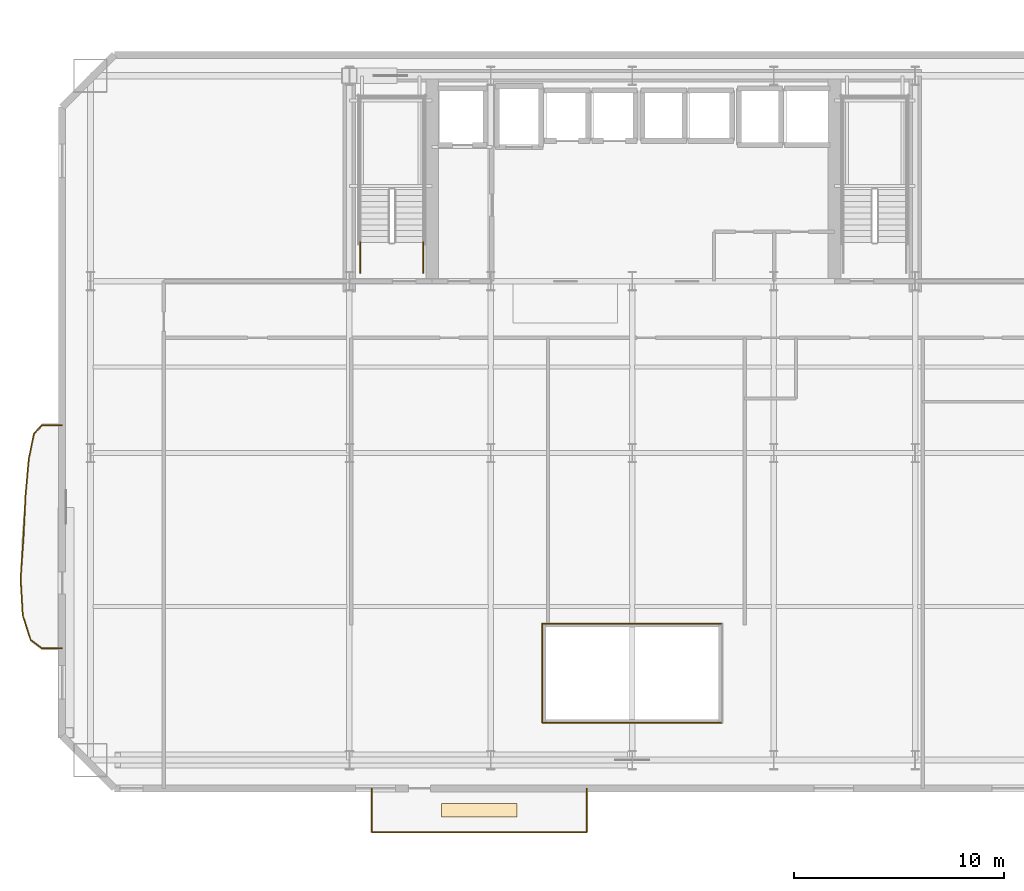
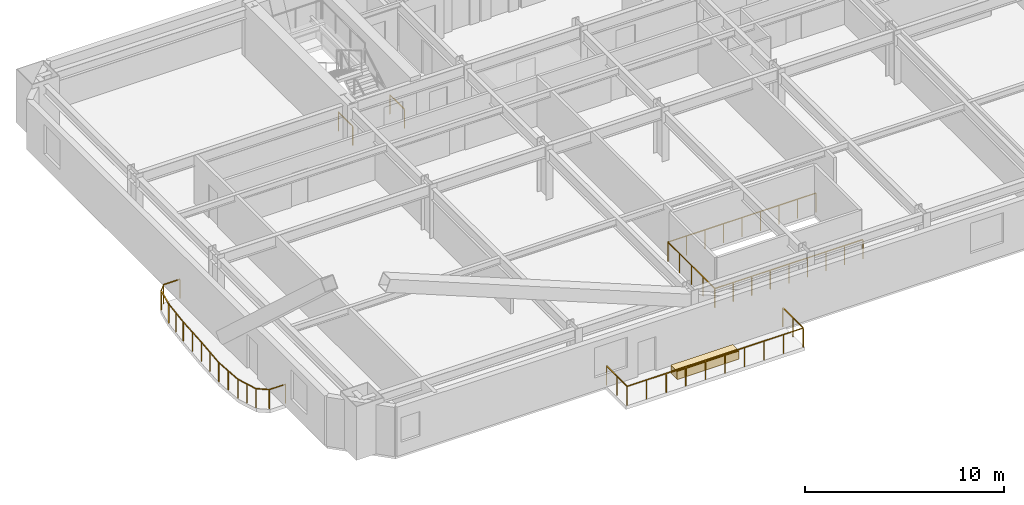
# One storey, part 11 of 17: 18 railings, 1 covering.
"""IFC4 building model written with IfcOpenShell, lengths in metres."""

import ifcopenshell
import ifcopenshell.guid

model = None  # the IFC model being written
_history = None  # IfcOwnerHistory: only IFC2X3 demands one
_inside = {}  # id of a spatial element -> (the spatial element, [elements in it])
_under = {}  # id of a project, library or spatial element -> (it, [spatial elements below it])
_declared = {}  # id of a project -> (the project, [libraries it declares])
_typed = {}  # id of a type object -> (the type object, [elements of that type])
_made_of = {}  # id of a material, layer set ... -> (it, [elements and type objects made of it])


def new_model(schema):
    """Start an empty IFC model of exactly this schema.

    Asked for "IFC4X3", IfcOpenShell would pick the latest addendum, in which some entities
    have other attributes; the version numbers below select the first issue.
    IFC2X3 requires an IfcOwnerHistory on every rooted entity: one is made here for all.
    """
    global model, _history
    if schema == "IFC4X3":
        model = ifcopenshell.file(schema_version=(4, 3, 0, 0))
    else:
        model = ifcopenshell.file(schema=schema)
    _inside.clear()
    _under.clear()
    _declared.clear()
    _typed.clear()
    _made_of.clear()
    _history = None
    if model.schema == "IFC2X3":
        org = make("IfcOrganization", Name="unknown")
        user = make(
            "IfcPersonAndOrganization",
            ThePerson=make("IfcPerson", FamilyName="unknown"),
            TheOrganization=org,
        )
        app = make(
            "IfcApplication",
            ApplicationDeveloper=org,
            Version="unknown",
            ApplicationFullName="unknown",
            ApplicationIdentifier="unknown",
        )
        _history = make(
            "IfcOwnerHistory",
            OwningUser=user,
            OwningApplication=app,
            ChangeAction="ADDED",
            CreationDate=0,
        )
    return model


def make(cls, **values):
    """One entity of the class cls with the attributes given. An attribute that is None is left unset."""
    return model.create_entity(
        cls, **{name: value for name, value in values.items() if value is not None}
    )


def rooted(cls, **values):
    """An entity with a GlobalId (a new one), such as an element, a storey or a relation."""
    return make(cls, GlobalId=ifcopenshell.guid.new(), OwnerHistory=_history, **values)


def si_unit(unit_type, name, prefix=None):
    """IfcSIUnit, for example si_unit("LENGTHUNIT", "METRE", prefix="MILLI")."""
    return make("IfcSIUnit", UnitType=unit_type, Prefix=prefix, Name=name)


def assignment(units):
    """IfcUnitAssignment: the units of a project."""
    return None if units is None else make("IfcUnitAssignment", Units=units)


def point(xyz):
    """IfcCartesianPoint."""
    return None if xyz is None else make("IfcCartesianPoint", Coordinates=xyz)


def direction(xyz):
    """IfcDirection."""
    return None if xyz is None else make("IfcDirection", DirectionRatios=xyz)


def frame(location, z_axis=None, x_axis=None):
    """IfcAxis2Placement3D, a coordinate frame: its origin and axes. An axis left out is left unset."""
    return make(
        "IfcAxis2Placement3D",
        Location=point(location),
        Axis=direction(z_axis),
        RefDirection=direction(x_axis),
    )


def frame_2d(location, x_axis=None):
    """IfcAxis2Placement2D, a coordinate frame in the plane: its origin and x axis."""
    return make(
        "IfcAxis2Placement2D", Location=point(location), RefDirection=direction(x_axis)
    )


def origin():
    """The frame at (0, 0, 0) with its axes left unset."""
    return frame((0.0, 0.0, 0.0))


def origin_2d():
    """The frame at (0, 0) in the plane with its x axis left unset."""
    return frame_2d((0.0, 0.0))


def place(relative_to, where):
    """IfcLocalPlacement: puts the frame where relative to a parent placement (None: the world)."""
    return make(
        "IfcLocalPlacement", PlacementRelTo=relative_to, RelativePlacement=where
    )


def context(
    kind, dimensions, precision=None, world=None, true_north=None, identifier=None
):
    """IfcGeometricRepresentationContext, for example the 3D "Model" context."""
    return make(
        "IfcGeometricRepresentationContext",
        ContextIdentifier=identifier,
        ContextType=kind,
        CoordinateSpaceDimension=dimensions,
        Precision=precision,
        WorldCoordinateSystem=world,
        TrueNorth=true_north,
    )


def subcontext(parent, identifier, kind, view, scale=None):
    """IfcGeometricRepresentationSubContext, for example "Body" below "Model"."""
    return make(
        "IfcGeometricRepresentationSubContext",
        ContextIdentifier=identifier,
        ContextType=kind,
        ParentContext=parent,
        TargetScale=scale,
        TargetView=view,
    )


def project(units=None, contexts=None):
    """IfcProject with its units and contexts."""
    return rooted(
        "IfcProject",
        Name="project",
        RepresentationContexts=contexts,
        UnitsInContext=assignment(units),
    )


def spatial(cls, under=None, at=None, **own):
    """A site, building, storey or space (cls), placed at a placement, below another one or the project."""
    s = rooted(cls, ObjectPlacement=at, **own)
    if under is not None:
        _under.setdefault(under.id(), (under, []))[1].append(s)
    return s


def profile(cls, at=None, kind="AREA", **sizes):
    """A parametric profile (cls). Its sizes go by their IFC names, for example OverallWidth=200.0."""
    return make(cls, ProfileType=kind, Position=at, **sizes)


def rectangle(**sizes):
    """IfcRectangleProfileDef."""
    return profile("IfcRectangleProfileDef", **sizes)


def extrude(swept, where, along, depth):
    """IfcExtrudedAreaSolid: the profile swept, set in the frame where, extruded along a direction by depth."""
    return make(
        "IfcExtrudedAreaSolid",
        SweptArea=swept,
        Position=where,
        ExtrudedDirection=direction(along),
        Depth=depth,
    )


def shape(context_of_items, identifier, shape_type, items):
    """IfcShapeRepresentation: the items that make up one representation, for example the "Body"."""
    return make(
        "IfcShapeRepresentation",
        ContextOfItems=context_of_items,
        RepresentationIdentifier=identifier,
        RepresentationType=shape_type,
        Items=items,
    )


def material(Name=None, Category=None):
    """IfcMaterial."""
    return make("IfcMaterial", Name=Name, Category=Category)


def layer(
    of_material, thickness, ventilated=None, Name=None, Category=None, Priority=None
):
    """IfcMaterialLayer: one layer of a wall or slab, of a material (None: an air gap)."""
    return make(
        "IfcMaterialLayer",
        Material=of_material,
        LayerThickness=thickness,
        IsVentilated=ventilated,
        Name=Name,
        Category=Category,
        Priority=Priority,
    )


def layer_set(layers, Name=None):
    """IfcMaterialLayerSet."""
    return make("IfcMaterialLayerSet", MaterialLayers=layers, LayerSetName=Name)


def made_of(thing, what):
    """Note that an element or type object is made of a material, layer set ...; save() writes the relation."""
    if what is not None:
        _made_of.setdefault(what.id(), (what, []))[1].append(thing)
    return thing


def type_object(cls, material=None, **own):
    """A type object (cls), such as IfcWallType, which elements share."""
    return made_of(rooted(cls, **own), material)


def element(
    cls,
    number,
    at=None,
    inside=None,
    cuts=None,
    type_object=None,
    material=None,
    context=None,
    identifier="Body",
    shape_type=None,
    held_by="IfcProductDefinitionShape",
    body=None,
    shapes=None,
    **own,
):
    """One element of the class cls, such as IfcWall. Its Tag is "e" and its number.

    at: its placement. inside: the storey or other place that contains it. cuts: it is an
    opening in that element (IfcRelVoidsElement). A single representation is given by context,
    identifier, shape_type and body (its items); several are given by shapes. held_by: the class
    of the entity that holds the representations. save() writes the other relations.
    """
    e = rooted(cls, Tag="e%d" % number, ObjectPlacement=at, **own)
    if body is not None:
        shapes = [shape(context, identifier, shape_type, body)]
    if shapes is not None:
        e.Representation = make(held_by, Representations=shapes)
    if inside is not None:
        _inside.setdefault(inside.id(), (inside, []))[1].append(e)
    if cuts is not None:
        rooted(
            "IfcRelVoidsElement", RelatingBuildingElement=cuts, RelatedOpeningElement=e
        )
    if type_object is not None:
        _typed.setdefault(type_object.id(), (type_object, []))[1].append(e)
    return made_of(e, material)


def aggregate(whole, parts):
    """IfcRelAggregates: a whole, such as a stair, and the parts it consists of."""
    return rooted("IfcRelAggregates", RelatingObject=whole, RelatedObjects=parts)


def save(model, path):
    """Write the relations noted so far, then the file.

    IfcRelAggregates (storeys below a building ...), IfcRelContainedInSpatialStructure (elements
    in a storey), IfcRelDefinesByType, IfcRelAssociatesMaterial and IfcRelDeclares: one each for
    every whole, place, type object, material and project.
    """
    for whole, parts in _under.values():
        aggregate(whole, parts)
    for where, things in _inside.values():
        rooted(
            "IfcRelContainedInSpatialStructure",
            RelatedElements=things,
            RelatingStructure=where,
        )
    for kind, things in _typed.values():
        rooted("IfcRelDefinesByType", RelatedObjects=things, RelatingType=kind)
    for what, things in _made_of.values():
        rooted("IfcRelAssociatesMaterial", RelatedObjects=things, RelatingMaterial=what)
    for by, libraries in _declared.values():
        rooted("IfcRelDeclares", RelatingContext=by, RelatedDefinitions=libraries)
    model.write(path)


model = new_model("IFC4")

# Units and contexts
model_context = context("Model", 3, precision=1e-05, world=origin(), true_north=direction((0.0, 1.0)))
body_context = subcontext(model_context, "Body", "Model", "MODEL_VIEW")
ifc_project = project(units=[si_unit("LENGTHUNIT", "METRE"), si_unit("AREAUNIT", "SQUARE_METRE"), si_unit("VOLUMEUNIT", "CUBIC_METRE"), si_unit("PLANEANGLEUNIT", "RADIAN"), si_unit("MASSUNIT", "GRAM", prefix="KILO")], contexts=[model_context])

# Site, building, storey
site_placement = place(None, origin())
site = spatial("IfcSite", under=ifc_project, at=site_placement, CompositionType="ELEMENT")
building_placement = place(site_placement, origin())
building = spatial("IfcBuilding", under=site, at=building_placement, Name="Haevon Station Towers", CompositionType="ELEMENT")
storey_placement = place(building_placement, frame((0.0, 0.0, 40.5)))
storey = spatial("IfcBuildingStorey", under=building, at=storey_placement, Name="L09", CompositionType="ELEMENT", Elevation=40.5)

# Railings
ifc_material_1 = material(Name="Steel S355", Category="steel")
railing_type_1 = type_object("IfcRailingType", Name="BAL-ATR1200", PredefinedType="BALUSTRADE", material=ifc_material_1)
railing_1_placement = place(storey_placement, frame((33.19482421875, 17.142333984375, 0.0)))
element("IfcRailing", 1, at=railing_1_placement, inside=storey, type_object=railing_type_1, Name="L09 Atrium Void Balustrade 1", PredefinedType="BALUSTRADE", context=body_context, shape_type="SweptSolid", body=[
    extrude(rectangle(XDim=0.048095703125, YDim=0.048095703125, at=origin_2d()), frame((0.0, 0.0, 1.17578125), z_axis=(1.0, 0.0, 0.0), x_axis=(0.0, 1.0, 0.0)), (0.0, 0.0, 1.0), 8.6103515625),
    extrude(rectangle(XDim=0.0419921875, YDim=0.0419921875, at=origin_2d()), origin(), (0.0, 0.0, 1.0), 1.15185546875),
    extrude(rectangle(XDim=0.0419921875, YDim=0.0419921875, at=origin_2d()), frame((1.076171875, 0.0, 0.0)), (0.0, 0.0, 1.0), 1.15185546875),
    extrude(rectangle(XDim=0.0419921875, YDim=0.0419921875, at=origin_2d()), frame((2.152587890625, 0.0, 0.0)), (0.0, 0.0, 1.0), 1.15185546875),
    extrude(rectangle(XDim=0.0419921875, YDim=0.0419921875, at=origin_2d()), frame((3.22900390625, 0.0, 0.0)), (0.0, 0.0, 1.0), 1.15185546875),
    extrude(rectangle(XDim=0.0419921875, YDim=0.0419921875, at=origin_2d()), frame((4.30517578125, 0.0, 0.0)), (0.0, 0.0, 1.0), 1.15185546875),
    extrude(rectangle(XDim=0.0419921875, YDim=0.0419921875, at=origin_2d()), frame((5.38134765625, 0.0, 0.0)), (0.0, 0.0, 1.0), 1.15185546875),
    extrude(rectangle(XDim=0.0419921875, YDim=0.0419921875, at=origin_2d()), frame((6.457763671875, 0.0, 0.0)), (0.0, 0.0, 1.0), 1.15185546875),
    extrude(rectangle(XDim=0.0419921875, YDim=0.0419921875, at=origin_2d()), frame((7.5341796875, 0.0, 0.0)), (0.0, 0.0, 1.0), 1.15185546875),
    extrude(rectangle(XDim=0.0419921875, YDim=0.0419921875, at=origin_2d()), frame((8.6103515625, 0.0, 0.0)), (0.0, 0.0, 1.0), 1.15185546875),
])
railing_2_placement = place(storey_placement, frame((41.80517578125, 21.857666015625, 0.0)))
element("IfcRailing", 2, at=railing_2_placement, inside=storey, type_object=railing_type_1, Name="L09 Atrium Void Balustrade 3", PredefinedType="BALUSTRADE", context=body_context, shape_type="SweptSolid", body=[
    extrude(rectangle(XDim=0.048095703125, YDim=0.048095703125, at=origin_2d()), frame((0.0, 0.0, 1.17578125), z_axis=(-1.0, 0.0, 0.0), x_axis=(0.0, -1.0, 0.0)), (0.0, 0.0, 1.0), 8.6103515625),
    extrude(rectangle(XDim=0.0419921875, YDim=0.0419921875, at=origin_2d()), origin(), (0.0, 0.0, 1.0), 1.15185546875),
    extrude(rectangle(XDim=0.0419921875, YDim=0.0419921875, at=origin_2d()), frame((-1.076171875, 0.0, 0.0)), (0.0, 0.0, 1.0), 1.15185546875),
    extrude(rectangle(XDim=0.0419921875, YDim=0.0419921875, at=origin_2d()), frame((-2.152587890625, 0.0, 0.0)), (0.0, 0.0, 1.0), 1.15185546875),
    extrude(rectangle(XDim=0.0419921875, YDim=0.0419921875, at=origin_2d()), frame((-3.22900390625, 0.0, 0.0)), (0.0, 0.0, 1.0), 1.15185546875),
    extrude(rectangle(XDim=0.0419921875, YDim=0.0419921875, at=origin_2d()), frame((-4.30517578125, 0.0, 0.0)), (0.0, 0.0, 1.0), 1.15185546875),
    extrude(rectangle(XDim=0.0419921875, YDim=0.0419921875, at=origin_2d()), frame((-5.38134765625, 0.0, 0.0)), (0.0, 0.0, 1.0), 1.15185546875),
    extrude(rectangle(XDim=0.0419921875, YDim=0.0419921875, at=origin_2d()), frame((-6.457763671875, 0.0, 0.0)), (0.0, 0.0, 1.0), 1.15185546875),
    extrude(rectangle(XDim=0.0419921875, YDim=0.0419921875, at=origin_2d()), frame((-7.5341796875, 0.0, 0.0)), (0.0, 0.0, 1.0), 1.15185546875),
    extrude(rectangle(XDim=0.0419921875, YDim=0.0419921875, at=origin_2d()), frame((-8.6103515625, 0.0, 0.0)), (0.0, 0.0, 1.0), 1.15185546875),
])
railing_3_placement = place(storey_placement, frame((33.19482421875, 21.857666015625, 0.0)))
element("IfcRailing", 3, at=railing_3_placement, inside=storey, type_object=railing_type_1, Name="L09 Atrium Void Balustrade 4", PredefinedType="BALUSTRADE", context=body_context, shape_type="SweptSolid", body=[
    extrude(rectangle(XDim=0.048095703125, YDim=0.048095703125, at=origin_2d()), frame((0.0, 0.0, 1.17578125), z_axis=(0.0, -1.0, 0.0), x_axis=(1.0, 0.0, 0.0)), (0.0, 0.0, 1.0), 4.71533203125),
    extrude(rectangle(XDim=0.0419921875, YDim=0.0419921875, at=origin_2d()), origin(), (0.0, 0.0, 1.0), 1.15185546875),
    extrude(rectangle(XDim=0.0419921875, YDim=0.0419921875, at=origin_2d()), frame((0.0, -1.1787109375, 0.0)), (0.0, 0.0, 1.0), 1.15185546875),
    extrude(rectangle(XDim=0.0419921875, YDim=0.0419921875, at=origin_2d()), frame((0.0, -2.357666015625, 0.0)), (0.0, 0.0, 1.0), 1.15185546875),
    extrude(rectangle(XDim=0.0419921875, YDim=0.0419921875, at=origin_2d()), frame((0.0, -3.53662109375, 0.0)), (0.0, 0.0, 1.0), 1.15185546875),
    extrude(rectangle(XDim=0.0419921875, YDim=0.0419921875, at=origin_2d()), frame((0.0, -4.71533203125, 0.0)), (0.0, 0.0, 1.0), 1.15185546875),
])
railing_type_2 = type_object("IfcRailingType", Name="GRD-EXT1200", PredefinedType="GUARDRAIL", material=ifc_material_1)
railing_4_placement = place(storey_placement, frame((10.276611328125, 31.322021484375, 0.0)))
element("IfcRailing", 4, at=railing_4_placement, inside=storey, type_object=railing_type_2, Name="L09 Perimeter Guardrail 1", PredefinedType="GUARDRAIL", context=body_context, shape_type="SweptSolid", body=[
    extrude(rectangle(XDim=0.048095703125, YDim=0.048095703125, at=origin_2d()), frame((0.0, 0.0, 1.17578125), z_axis=(-0.999997857851, -0.002069853263, 0.0), x_axis=(0.002069853263, -0.999997857851, 0.0)), (0.0, 0.0, 1.0), 0.943603515625),
    extrude(rectangle(XDim=0.0419921875, YDim=0.0419921875, at=origin_2d()), origin(), (0.0, 0.0, 1.0), 1.15185546875),
    extrude(rectangle(XDim=0.0419921875, YDim=0.0419921875, at=origin_2d()), frame((-0.943603515625, -0.001953125, 0.0)), (0.0, 0.0, 1.0), 1.15185546875),
])
railing_5_placement = place(storey_placement, frame((9.3330078125, 31.320068359375, 0.0)))
element("IfcRailing", 5, at=railing_5_placement, inside=storey, type_object=railing_type_2, Name="L09 Perimeter Guardrail 2", PredefinedType="GUARDRAIL", context=body_context, shape_type="SweptSolid", body=[
    extrude(rectangle(XDim=0.048095703125, YDim=0.048095703125, at=origin_2d()), frame((0.0, 0.0, 1.17578125), z_axis=(-0.683306289544, -0.730131847456, 0.0), x_axis=(0.730131847456, -0.683306289544, 0.0)), (0.0, 0.0, 1.0), 0.56298828125),
    extrude(rectangle(XDim=0.0419921875, YDim=0.0419921875, at=origin_2d()), origin(), (0.0, 0.0, 1.0), 1.15185546875),
    extrude(rectangle(XDim=0.0419921875, YDim=0.0419921875, at=origin_2d()), frame((-0.384765625, -0.4111328125, 0.0)), (0.0, 0.0, 1.0), 1.15185546875),
])
railing_6_placement = place(storey_placement, frame((8.9482421875, 30.908935546875, 0.0)))
element("IfcRailing", 6, at=railing_6_placement, inside=storey, type_object=railing_type_2, Name="L09 Perimeter Guardrail 3", PredefinedType="GUARDRAIL", context=body_context, shape_type="SweptSolid", body=[
    extrude(rectangle(XDim=0.048095703125, YDim=0.048095703125, at=origin_2d()), frame((0.0, 0.0, 1.17578125), z_axis=(-0.201497232752, -0.979489083754, 0.0), x_axis=(0.979489083754, -0.201497232752, 0.0)), (0.0, 0.0, 1.0), 1.194580078125),
    extrude(rectangle(XDim=0.0419921875, YDim=0.0419921875, at=origin_2d()), origin(), (0.0, 0.0, 1.0), 1.15185546875),
    extrude(rectangle(XDim=0.0419921875, YDim=0.0419921875, at=origin_2d()), frame((-0.24072265625, -1.170166015625, 0.0)), (0.0, 0.0, 1.0), 1.15185546875),
])
railing_7_placement = place(storey_placement, frame((8.70751953125, 29.73876953125, 0.0)))
element("IfcRailing", 7, at=railing_7_placement, inside=storey, type_object=railing_type_2, Name="L09 Perimeter Guardrail 4", PredefinedType="GUARDRAIL", context=body_context, shape_type="SweptSolid", body=[
    extrude(rectangle(XDim=0.048095703125, YDim=0.048095703125, at=origin_2d()), frame((0.0, 0.0, 1.17578125), z_axis=(-0.090310252801, -0.995913680114, 0.0), x_axis=(0.995913680114, -0.090310252801, 0.0)), (0.0, 0.0, 1.0), 1.757080078125),
    extrude(rectangle(XDim=0.0419921875, YDim=0.0419921875, at=origin_2d()), origin(), (0.0, 0.0, 1.0), 1.15185546875),
    extrude(rectangle(XDim=0.0419921875, YDim=0.0419921875, at=origin_2d()), frame((-0.079345703125, -0.875, 0.0)), (0.0, 0.0, 1.0), 1.15185546875),
    extrude(rectangle(XDim=0.0419921875, YDim=0.0419921875, at=origin_2d()), frame((-0.15869140625, -1.75, 0.0)), (0.0, 0.0, 1.0), 1.15185546875),
])
railing_8_placement = place(storey_placement, frame((8.548828125, 27.98876953125, 0.0)))
element("IfcRailing", 8, at=railing_8_placement, inside=storey, type_object=railing_type_2, Name="L09 Perimeter Guardrail 5", PredefinedType="GUARDRAIL", context=body_context, shape_type="SweptSolid", body=[
    extrude(rectangle(XDim=0.048095703125, YDim=0.048095703125, at=origin_2d()), frame((0.0, 0.0, 1.17578125), z_axis=(-0.047454457012, -0.998873402644, 0.0), x_axis=(0.998873402644, -0.047454457012, 0.0)), (0.0, 0.0, 1.0), 1.990966796875),
    extrude(rectangle(XDim=0.0419921875, YDim=0.0419921875, at=origin_2d()), origin(), (0.0, 0.0, 1.0), 1.15185546875),
    extrude(rectangle(XDim=0.0419921875, YDim=0.0419921875, at=origin_2d()), frame((-0.04736328125, -0.994384765625, 0.0)), (0.0, 0.0, 1.0), 1.15185546875),
    extrude(rectangle(XDim=0.0419921875, YDim=0.0419921875, at=origin_2d()), frame((-0.094482421875, -1.98876953125, 0.0)), (0.0, 0.0, 1.0), 1.15185546875),
])
railing_9_placement = place(storey_placement, frame((8.454345703125, 26.0, 0.0)))
element("IfcRailing", 9, at=railing_9_placement, inside=storey, type_object=railing_type_2, Name="L09 Perimeter Guardrail 6", PredefinedType="GUARDRAIL", context=body_context, shape_type="SweptSolid", body=[
    extrude(rectangle(XDim=0.048095703125, YDim=0.048095703125, at=origin_2d()), frame((0.0, 0.0, 1.17578125), z_axis=(-0.069960576388, -0.99754975703, 0.0), x_axis=(0.99754975703, -0.069960576388, 0.0)), (0.0, 0.0, 1.0), 1.99609375),
    extrude(rectangle(XDim=0.0419921875, YDim=0.0419921875, at=origin_2d()), origin(), (0.0, 0.0, 1.0), 1.15185546875),
    extrude(rectangle(XDim=0.0419921875, YDim=0.0419921875, at=origin_2d()), frame((-0.06982421875, -0.99560546875, 0.0)), (0.0, 0.0, 1.0), 1.15185546875),
    extrude(rectangle(XDim=0.0419921875, YDim=0.0419921875, at=origin_2d()), frame((-0.1396484375, -1.9912109375, 0.0)), (0.0, 0.0, 1.0), 1.15185546875),
])
railing_10_placement = place(storey_placement, frame((8.314697265625, 24.0087890625, 0.0)))
element("IfcRailing", 10, at=railing_10_placement, inside=storey, type_object=railing_type_2, Name="L09 Perimeter Guardrail 7", PredefinedType="GUARDRAIL", context=body_context, shape_type="SweptSolid", body=[
    extrude(rectangle(XDim=0.048095703125, YDim=0.048095703125, at=origin_2d()), frame((0.0, 0.0, 1.17578125), z_axis=(0.057716779897, -0.99833299721, 0.0), x_axis=(0.99833299721, 0.057716779897, 0.0)), (0.0, 0.0, 1.0), 1.751220703125),
    extrude(rectangle(XDim=0.0419921875, YDim=0.0419921875, at=origin_2d()), origin(), (0.0, 0.0, 1.0), 1.15185546875),
    extrude(rectangle(XDim=0.0419921875, YDim=0.0419921875, at=origin_2d()), frame((0.050537109375, -0.8740234375, 0.0)), (0.0, 0.0, 1.0), 1.15185546875),
    extrude(rectangle(XDim=0.0419921875, YDim=0.0419921875, at=origin_2d()), frame((0.10107421875, -1.748291015625, 0.0)), (0.0, 0.0, 1.0), 1.15185546875),
])
railing_11_placement = place(storey_placement, frame((8.415771484375, 22.260498046875, 0.0)))
element("IfcRailing", 11, at=railing_11_placement, inside=storey, type_object=railing_type_2, Name="L09 Perimeter Guardrail 8", PredefinedType="GUARDRAIL", context=body_context, shape_type="SweptSolid", body=[
    extrude(rectangle(XDim=0.048095703125, YDim=0.048095703125, at=origin_2d()), frame((0.0, 0.0, 1.17578125), z_axis=(0.303187234273, -0.952931005359, 0.0), x_axis=(0.952931005359, 0.303187234273, 0.0)), (0.0, 0.0, 1.0), 1.227294921875),
    extrude(rectangle(XDim=0.0419921875, YDim=0.0419921875, at=origin_2d()), origin(), (0.0, 0.0, 1.0), 1.15185546875),
    extrude(rectangle(XDim=0.0419921875, YDim=0.0419921875, at=origin_2d()), frame((0.18603515625, -0.584716796875, 0.0)), (0.0, 0.0, 1.0), 1.15185546875),
    extrude(rectangle(XDim=0.0419921875, YDim=0.0419921875, at=origin_2d()), frame((0.3720703125, -1.16943359375, 0.0)), (0.0, 0.0, 1.0), 1.15185546875),
])
railing_12_placement = place(storey_placement, frame((8.787841796875, 21.091064453125, 0.0)))
element("IfcRailing", 12, at=railing_12_placement, inside=storey, type_object=railing_type_2, Name="L09 Perimeter Guardrail 9", PredefinedType="GUARDRAIL", context=body_context, shape_type="SweptSolid", body=[
    extrude(rectangle(XDim=0.048095703125, YDim=0.048095703125, at=origin_2d()), frame((0.0, 0.0, 1.17578125), z_axis=(0.798409676693, -0.602114597201, 0.0), x_axis=(0.602114597201, 0.798409676693, 0.0)), (0.0, 0.0, 1.0), 0.682861328125),
    extrude(rectangle(XDim=0.0419921875, YDim=0.0419921875, at=origin_2d()), origin(), (0.0, 0.0, 1.0), 1.15185546875),
    extrude(rectangle(XDim=0.0419921875, YDim=0.0419921875, at=origin_2d()), frame((0.545166015625, -0.4111328125, 0.0)), (0.0, 0.0, 1.0), 1.15185546875),
])
railing_13_placement = place(storey_placement, frame((9.3330078125, 20.679931640625, 0.0)))
element("IfcRailing", 13, at=railing_13_placement, inside=storey, type_object=railing_type_2, Name="L09 Perimeter Guardrail 10", PredefinedType="GUARDRAIL", context=body_context, shape_type="SweptSolid", body=[
    extrude(rectangle(XDim=0.048095703125, YDim=0.048095703125, at=origin_2d()), frame((0.0, 0.0, 1.17578125), z_axis=(0.999997857851, -0.002069853263, 0.0), x_axis=(0.002069853263, 0.999997857851, 0.0)), (0.0, 0.0, 1.0), 0.943603515625),
    extrude(rectangle(XDim=0.0419921875, YDim=0.0419921875, at=origin_2d()), origin(), (0.0, 0.0, 1.0), 1.15185546875),
    extrude(rectangle(XDim=0.0419921875, YDim=0.0419921875, at=origin_2d()), frame((0.943603515625, -0.001953125, 0.0)), (0.0, 0.0, 1.0), 1.15185546875),
])
railing_14_placement = place(storey_placement, frame((25.078369140625, 11.915771484375, 0.0)))
element("IfcRailing", 14, at=railing_14_placement, inside=storey, type_object=railing_type_2, Name="L09 Perimeter Guardrail 1", PredefinedType="GUARDRAIL", context=body_context, shape_type="SweptSolid", body=[
    extrude(rectangle(XDim=0.048095703125, YDim=0.048095703125, at=origin_2d()), frame((0.0, 0.0, 1.17578125), z_axis=(1.0, 0.0, 0.0), x_axis=(0.0, 1.0, 0.0)), (0.0, 0.0, 1.0), 10.2431640625),
    extrude(rectangle(XDim=0.0419921875, YDim=0.0419921875, at=origin_2d()), origin(), (0.0, 0.0, 1.0), 1.15185546875),
    extrude(rectangle(XDim=0.0419921875, YDim=0.0419921875, at=origin_2d()), frame((1.13818359375, 0.0, 0.0)), (0.0, 0.0, 1.0), 1.15185546875),
    extrude(rectangle(XDim=0.0419921875, YDim=0.0419921875, at=origin_2d()), frame((2.2763671875, 0.0, 0.0)), (0.0, 0.0, 1.0), 1.15185546875),
    extrude(rectangle(XDim=0.0419921875, YDim=0.0419921875, at=origin_2d()), frame((3.414306640625, 0.0, 0.0)), (0.0, 0.0, 1.0), 1.15185546875),
    extrude(rectangle(XDim=0.0419921875, YDim=0.0419921875, at=origin_2d()), frame((4.552490234375, 0.0, 0.0)), (0.0, 0.0, 1.0), 1.15185546875),
    extrude(rectangle(XDim=0.0419921875, YDim=0.0419921875, at=origin_2d()), frame((5.690673828125, 0.0, 0.0)), (0.0, 0.0, 1.0), 1.15185546875),
    extrude(rectangle(XDim=0.0419921875, YDim=0.0419921875, at=origin_2d()), frame((6.828857421875, 0.0, 0.0)), (0.0, 0.0, 1.0), 1.15185546875),
    extrude(rectangle(XDim=0.0419921875, YDim=0.0419921875, at=origin_2d()), frame((7.966796875, 0.0, 0.0)), (0.0, 0.0, 1.0), 1.15185546875),
    extrude(rectangle(XDim=0.0419921875, YDim=0.0419921875, at=origin_2d()), frame((9.10498046875, 0.0, 0.0)), (0.0, 0.0, 1.0), 1.15185546875),
    extrude(rectangle(XDim=0.0419921875, YDim=0.0419921875, at=origin_2d()), frame((10.2431640625, 0.0, 0.0)), (0.0, 0.0, 1.0), 1.15185546875),
])
railing_15_placement = place(storey_placement, frame((35.321533203125, 11.915771484375, 0.0)))
element("IfcRailing", 15, at=railing_15_placement, inside=storey, type_object=railing_type_2, Name="L09 Perimeter Guardrail 2", PredefinedType="GUARDRAIL", context=body_context, shape_type="SweptSolid", body=[
    extrude(rectangle(XDim=0.048095703125, YDim=0.048095703125, at=origin_2d()), frame((0.0, 0.0, 1.17578125), z_axis=(0.0, 1.0, 0.0), x_axis=(-1.0, 0.0, 0.0)), (0.0, 0.0, 1.0), 2.0634765625),
    extrude(rectangle(XDim=0.0419921875, YDim=0.0419921875, at=origin_2d()), origin(), (0.0, 0.0, 1.0), 1.15185546875),
    extrude(rectangle(XDim=0.0419921875, YDim=0.0419921875, at=origin_2d()), frame((0.0, 1.03173828125, 0.0)), (0.0, 0.0, 1.0), 1.15185546875),
    extrude(rectangle(XDim=0.0419921875, YDim=0.0419921875, at=origin_2d()), frame((0.0, 2.0634765625, 0.0)), (0.0, 0.0, 1.0), 1.15185546875),
])
railing_16_placement = place(storey_placement, frame((25.078369140625, 13.979248046875, 0.0)))
element("IfcRailing", 16, at=railing_16_placement, inside=storey, type_object=railing_type_2, Name="L09 Perimeter Guardrail 3", PredefinedType="GUARDRAIL", context=body_context, shape_type="SweptSolid", body=[
    extrude(rectangle(XDim=0.048095703125, YDim=0.048095703125, at=origin_2d()), frame((0.0, 0.0, 1.17578125), z_axis=(0.0, -1.0, 0.0), x_axis=(1.0, 0.0, 0.0)), (0.0, 0.0, 1.0), 2.0634765625),
    extrude(rectangle(XDim=0.0419921875, YDim=0.0419921875, at=origin_2d()), origin(), (0.0, 0.0, 1.0), 1.15185546875),
    extrude(rectangle(XDim=0.0419921875, YDim=0.0419921875, at=origin_2d()), frame((0.0, -1.03173828125, 0.0)), (0.0, 0.0, 1.0), 1.15185546875),
    extrude(rectangle(XDim=0.0419921875, YDim=0.0419921875, at=origin_2d()), frame((0.0, -2.0634765625, 0.0)), (0.0, 0.0, 1.0), 1.15185546875),
])
railing_type_3 = type_object("IfcRailingType", Name="GRD-STR1200", PredefinedType="GUARDRAIL", material=ifc_material_1)
for number, where, name in (
    (17, (27.530029296875, 38.60009765625, 0.0), "L09 ST1 Stair Guard 8"),
    (18, (24.530029296875, 38.60009765625, 0.0), "L09 ST1 Stair Guard 9"),
):
    element("IfcRailing", number, at=place(storey_placement, frame(where)), inside=storey, type_object=railing_type_3, Name=name, PredefinedType="GUARDRAIL", context=body_context, shape_type="SweptSolid", body=[
        extrude(rectangle(XDim=0.048095703125, YDim=0.048095703125, at=origin_2d()), frame((0.0, 0.0, 1.17578125), z_axis=(0.0, 1.0, 0.0), x_axis=(-1.0, 0.0, 0.0)), (0.0, 0.0, 1.0), 1.449951171875),
        extrude(rectangle(XDim=0.0419921875, YDim=0.0419921875, at=origin_2d()), origin(), (0.0, 0.0, 1.0), 1.15185546875),
        extrude(rectangle(XDim=0.0419921875, YDim=0.0419921875, at=origin_2d()), frame((0.0, 1.449951171875, 0.0)), (0.0, 0.0, 1.0), 1.15185546875),
    ])

# Covering
ifc_material_2 = material(Name="Architectural planter GRC", Category="concrete")
ifc_layer = layer(ifc_material_2, 0.550048828125)
ifc_layer_set = layer_set([ifc_layer], Name="Architectural planter GRC")
covering_type = type_object("IfcCoveringType", Name="PLN-GRC550", PredefinedType="MOLDING", material=ifc_layer_set)
covering_placement = place(storey_placement, frame((30.199951171875, 12.947509765625, 0.0), z_axis=(0.0, 0.0, 1.0), x_axis=(1.0, 0.0, 0.0)))
element("IfcCovering", 19, at=covering_placement, inside=storey, type_object=covering_type, Name="Tower 1 L09 Facade Trough PLANTER", PredefinedType="MOLDING", context=body_context, shape_type="SweptSolid", body=[
    extrude(rectangle(XDim=3.60009765625, YDim=0.64990234375, at=origin_2d()), origin(), (0.0, 0.0, 1.0), 0.5),
])

save(model, "model.ifc")
